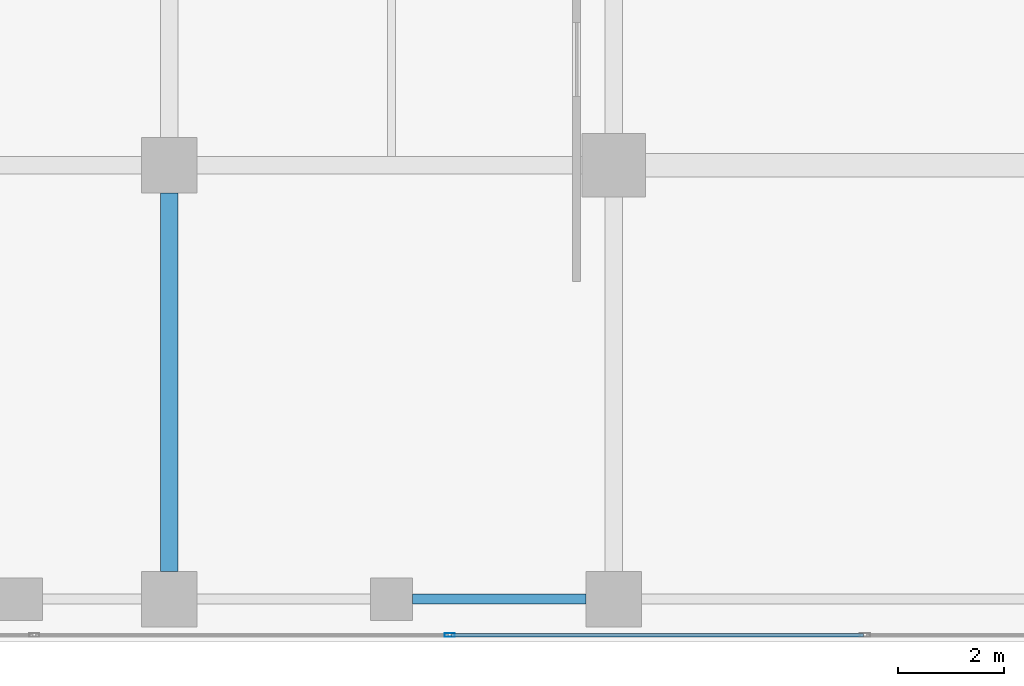
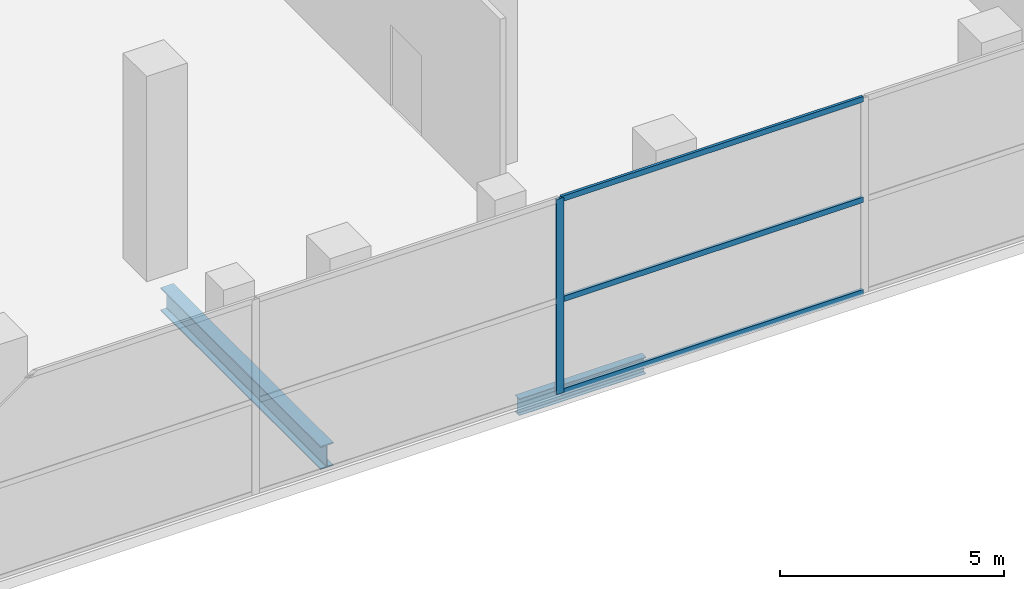
# One storey, part 6 of 40: 4 members, 2 beams, 1 element without a shape of its own.
"""IFC4 building model written with IfcOpenShell, lengths in metres."""

import ifcopenshell
import ifcopenshell.guid

model = None  # the IFC model being written
_history = None  # IfcOwnerHistory: only IFC2X3 demands one
_inside = {}  # id of a spatial element -> (the spatial element, [elements in it])
_under = {}  # id of a project, library or spatial element -> (it, [spatial elements below it])
_declared = {}  # id of a project -> (the project, [libraries it declares])
_typed = {}  # id of a type object -> (the type object, [elements of that type])
_made_of = {}  # id of a material, layer set ... -> (it, [elements and type objects made of it])


def new_model(schema):
    """Start an empty IFC model of exactly this schema.

    Asked for "IFC4X3", IfcOpenShell would pick the latest addendum, in which some entities
    have other attributes; the version numbers below select the first issue.
    IFC2X3 requires an IfcOwnerHistory on every rooted entity: one is made here for all.
    """
    global model, _history
    if schema == "IFC4X3":
        model = ifcopenshell.file(schema_version=(4, 3, 0, 0))
    else:
        model = ifcopenshell.file(schema=schema)
    _inside.clear()
    _under.clear()
    _declared.clear()
    _typed.clear()
    _made_of.clear()
    _history = None
    if model.schema == "IFC2X3":
        org = make("IfcOrganization", Name="unknown")
        user = make(
            "IfcPersonAndOrganization",
            ThePerson=make("IfcPerson", FamilyName="unknown"),
            TheOrganization=org,
        )
        app = make(
            "IfcApplication",
            ApplicationDeveloper=org,
            Version="unknown",
            ApplicationFullName="unknown",
            ApplicationIdentifier="unknown",
        )
        _history = make(
            "IfcOwnerHistory",
            OwningUser=user,
            OwningApplication=app,
            ChangeAction="ADDED",
            CreationDate=0,
        )
    return model


def make(cls, **values):
    """One entity of the class cls with the attributes given. An attribute that is None is left unset."""
    return model.create_entity(
        cls, **{name: value for name, value in values.items() if value is not None}
    )


def rooted(cls, **values):
    """An entity with a GlobalId (a new one), such as an element, a storey or a relation."""
    return make(cls, GlobalId=ifcopenshell.guid.new(), OwnerHistory=_history, **values)


def si_unit(unit_type, name, prefix=None):
    """IfcSIUnit, for example si_unit("LENGTHUNIT", "METRE", prefix="MILLI")."""
    return make("IfcSIUnit", UnitType=unit_type, Prefix=prefix, Name=name)


def assignment(units):
    """IfcUnitAssignment: the units of a project."""
    return None if units is None else make("IfcUnitAssignment", Units=units)


def point(xyz):
    """IfcCartesianPoint."""
    return None if xyz is None else make("IfcCartesianPoint", Coordinates=xyz)


def direction(xyz):
    """IfcDirection."""
    return None if xyz is None else make("IfcDirection", DirectionRatios=xyz)


def frame(location, z_axis=None, x_axis=None):
    """IfcAxis2Placement3D, a coordinate frame: its origin and axes. An axis left out is left unset."""
    return make(
        "IfcAxis2Placement3D",
        Location=point(location),
        Axis=direction(z_axis),
        RefDirection=direction(x_axis),
    )


def frame_2d(location, x_axis=None):
    """IfcAxis2Placement2D, a coordinate frame in the plane: its origin and x axis."""
    return make(
        "IfcAxis2Placement2D", Location=point(location), RefDirection=direction(x_axis)
    )


def origin():
    """The frame at (0, 0, 0) with its axes left unset."""
    return frame((0.0, 0.0, 0.0))


def origin_2d():
    """The frame at (0, 0) in the plane with its x axis left unset."""
    return frame_2d((0.0, 0.0))


def place(relative_to, where):
    """IfcLocalPlacement: puts the frame where relative to a parent placement (None: the world)."""
    return make(
        "IfcLocalPlacement", PlacementRelTo=relative_to, RelativePlacement=where
    )


def context(
    kind, dimensions, precision=None, world=None, true_north=None, identifier=None
):
    """IfcGeometricRepresentationContext, for example the 3D "Model" context."""
    return make(
        "IfcGeometricRepresentationContext",
        ContextIdentifier=identifier,
        ContextType=kind,
        CoordinateSpaceDimension=dimensions,
        Precision=precision,
        WorldCoordinateSystem=world,
        TrueNorth=true_north,
    )


def subcontext(parent, identifier, kind, view, scale=None):
    """IfcGeometricRepresentationSubContext, for example "Body" below "Model"."""
    return make(
        "IfcGeometricRepresentationSubContext",
        ContextIdentifier=identifier,
        ContextType=kind,
        ParentContext=parent,
        TargetScale=scale,
        TargetView=view,
    )


def project(units=None, contexts=None):
    """IfcProject with its units and contexts."""
    return rooted(
        "IfcProject",
        Name="project",
        RepresentationContexts=contexts,
        UnitsInContext=assignment(units),
    )


def spatial(cls, under=None, at=None, **own):
    """A site, building, storey or space (cls), placed at a placement, below another one or the project."""
    s = rooted(cls, ObjectPlacement=at, **own)
    if under is not None:
        _under.setdefault(under.id(), (under, []))[1].append(s)
    return s


def profile(cls, at=None, kind="AREA", **sizes):
    """A parametric profile (cls). Its sizes go by their IFC names, for example OverallWidth=200.0."""
    return make(cls, ProfileType=kind, Position=at, **sizes)


def hollow_rectangle(**sizes):
    """IfcRectangleHollowProfileDef."""
    return profile("IfcRectangleHollowProfileDef", **sizes)


def i_section(**sizes):
    """IfcIShapeProfileDef."""
    return profile("IfcIShapeProfileDef", **sizes)


def extrude(swept, where, along, depth):
    """IfcExtrudedAreaSolid: the profile swept, set in the frame where, extruded along a direction by depth."""
    return make(
        "IfcExtrudedAreaSolid",
        SweptArea=swept,
        Position=where,
        ExtrudedDirection=direction(along),
        Depth=depth,
    )


def shape(context_of_items, identifier, shape_type, items):
    """IfcShapeRepresentation: the items that make up one representation, for example the "Body"."""
    return make(
        "IfcShapeRepresentation",
        ContextOfItems=context_of_items,
        RepresentationIdentifier=identifier,
        RepresentationType=shape_type,
        Items=items,
    )


def material(Name=None, Category=None):
    """IfcMaterial."""
    return make("IfcMaterial", Name=Name, Category=Category)


def layer(
    of_material, thickness, ventilated=None, Name=None, Category=None, Priority=None
):
    """IfcMaterialLayer: one layer of a wall or slab, of a material (None: an air gap)."""
    return make(
        "IfcMaterialLayer",
        Material=of_material,
        LayerThickness=thickness,
        IsVentilated=ventilated,
        Name=Name,
        Category=Category,
        Priority=Priority,
    )


def layer_set(layers, Name=None):
    """IfcMaterialLayerSet."""
    return make("IfcMaterialLayerSet", MaterialLayers=layers, LayerSetName=Name)


def material_profile(
    of_material, cross_section, Name=None, Category=None, Priority=None
):
    """IfcMaterialProfile: a cross section and its material."""
    return make(
        "IfcMaterialProfile",
        Name=Name,
        Material=of_material,
        Profile=cross_section,
        Priority=Priority,
        Category=Category,
    )


def profile_set(profiles, Name=None, composite=None):
    """IfcMaterialProfileSet."""
    return make(
        "IfcMaterialProfileSet",
        Name=Name,
        MaterialProfiles=profiles,
        CompositeProfile=composite,
    )


def made_of(thing, what):
    """Note that an element or type object is made of a material, layer set ...; save() writes the relation."""
    if what is not None:
        _made_of.setdefault(what.id(), (what, []))[1].append(thing)
    return thing


def type_object(cls, material=None, **own):
    """A type object (cls), such as IfcWallType, which elements share."""
    return made_of(rooted(cls, **own), material)


def element(
    cls,
    number,
    at=None,
    inside=None,
    cuts=None,
    type_object=None,
    material=None,
    context=None,
    identifier="Body",
    shape_type=None,
    held_by="IfcProductDefinitionShape",
    body=None,
    shapes=None,
    **own,
):
    """One element of the class cls, such as IfcWall. Its Tag is "e" and its number.

    at: its placement. inside: the storey or other place that contains it. cuts: it is an
    opening in that element (IfcRelVoidsElement). A single representation is given by context,
    identifier, shape_type and body (its items); several are given by shapes. held_by: the class
    of the entity that holds the representations. save() writes the other relations.
    """
    e = rooted(cls, Tag="e%d" % number, ObjectPlacement=at, **own)
    if body is not None:
        shapes = [shape(context, identifier, shape_type, body)]
    if shapes is not None:
        e.Representation = make(held_by, Representations=shapes)
    if inside is not None:
        _inside.setdefault(inside.id(), (inside, []))[1].append(e)
    if cuts is not None:
        rooted(
            "IfcRelVoidsElement", RelatingBuildingElement=cuts, RelatedOpeningElement=e
        )
    if type_object is not None:
        _typed.setdefault(type_object.id(), (type_object, []))[1].append(e)
    return made_of(e, material)


def aggregate(whole, parts):
    """IfcRelAggregates: a whole, such as a stair, and the parts it consists of."""
    return rooted("IfcRelAggregates", RelatingObject=whole, RelatedObjects=parts)


def save(model, path):
    """Write the relations noted so far, then the file.

    IfcRelAggregates (storeys below a building ...), IfcRelContainedInSpatialStructure (elements
    in a storey), IfcRelDefinesByType, IfcRelAssociatesMaterial and IfcRelDeclares: one each for
    every whole, place, type object, material and project.
    """
    for whole, parts in _under.values():
        aggregate(whole, parts)
    for where, things in _inside.values():
        rooted(
            "IfcRelContainedInSpatialStructure",
            RelatedElements=things,
            RelatingStructure=where,
        )
    for kind, things in _typed.values():
        rooted("IfcRelDefinesByType", RelatedObjects=things, RelatingType=kind)
    for what, things in _made_of.values():
        rooted("IfcRelAssociatesMaterial", RelatedObjects=things, RelatingMaterial=what)
    for by, libraries in _declared.values():
        rooted("IfcRelDeclares", RelatingContext=by, RelatedDefinitions=libraries)
    model.write(path)


model = new_model("IFC4")

# Units and contexts
model_context = context("Model", 3, precision=1e-05, world=origin(), true_north=direction((0.0, 1.0)))
body_context = subcontext(model_context, "Body", "Model", "MODEL_VIEW")
ifc_project = project(units=[si_unit("LENGTHUNIT", "METRE"), si_unit("AREAUNIT", "SQUARE_METRE"), si_unit("VOLUMEUNIT", "CUBIC_METRE"), si_unit("PLANEANGLEUNIT", "RADIAN"), si_unit("MASSUNIT", "GRAM", prefix="KILO")], contexts=[model_context])

# Site, building, storey
site_placement = place(None, origin())
site = spatial("IfcSite", under=ifc_project, at=site_placement, CompositionType="ELEMENT")
building_placement = place(site_placement, origin())
building = spatial("IfcBuilding", under=site, at=building_placement, Name="Maruvema Waterfront Hotel and Observation Tower", CompositionType="ELEMENT")
storey_placement = place(building_placement, frame((0.0, 0.0, 10.85009765625)))
storey = spatial("IfcBuildingStorey", under=building, at=storey_placement, Name="L02", CompositionType="ELEMENT", Elevation=10.85009765625)

# Curtain wall, members
ifc_material_1 = material(Name="Anodised bronze aluminium and solar-control low-E IGU", Category="aluminium")
ifc_layer = layer(ifc_material_1, 0.159912109375, Name="Podium Waterfront Storefront Curtain Wall System CW-01")
ifc_layer_set = layer_set([ifc_layer], Name="Anodised bronze aluminium and solar-control low-E IGU")
curtain_wall_type = type_object("IfcCurtainWallType", Name="Podium Waterfront Storefront Curtain Wall System CW-01", PredefinedType="USERDEFINED", material=ifc_layer_set)
curtain_wall_placement = place(storey_placement, origin())
curtain_wall = element("IfcCurtainWall", 1, at=curtain_wall_placement, inside=storey, type_object=curtain_wall_type, Name="L02 Curtain Wall CW-L02-S", ObjectType="UNITISED CURTAIN WALL", PredefinedType="USERDEFINED")
ifc_material_2 = material(Name="Anodised architectural bronze aluminium", Category="aluminium")
ifc_material_profile_1 = material_profile(ifc_material_2, hollow_rectangle(XDim=0.070068359375, YDim=0.14990234375, WallThickness=0.00390625, at=origin_2d()), Name="ALU-T70x150")
ifc_profile_set_1 = profile_set([ifc_material_profile_1], Name="Anodised architectural bronze aluminium")
member_type_1 = type_object("IfcMemberType", Name="Curtain Wall Horizontal Transom ALU-T70x150", PredefinedType="USERDEFINED", material=ifc_profile_set_1)
member_1_placement = place(storey_placement, frame((22.1298828125, 0.1201171875, 0.02978515625), z_axis=(1.0, 0.0, 0.0), x_axis=(0.0, 1.0, 0.0)))
member_1 = element("IfcMember", 2, at=member_1_placement, type_object=member_type_1, Name="CW-01 transom 3.1", ObjectType="TRANSOM", PredefinedType="USERDEFINED", context=body_context, shape_type="SweptSolid", body=[
    extrude(hollow_rectangle(XDim=0.070068359375, YDim=0.14990234375, WallThickness=0.00390625, at=origin_2d()), origin(), (0.0, 0.0, 1.0), 7.7900390625),
])
member_2_placement = place(storey_placement, frame((22.1298828125, 0.1201171875, 2.5498046875), z_axis=(1.0, 0.0, 0.0), x_axis=(0.0, 1.0, 0.0)))
member_2 = element("IfcMember", 3, at=member_2_placement, type_object=member_type_1, Name="CW-01 transom 3.2", ObjectType="TRANSOM", PredefinedType="USERDEFINED", context=body_context, shape_type="SweptSolid", body=[
    extrude(hollow_rectangle(XDim=0.070068359375, YDim=0.14990234375, WallThickness=0.00390625, at=origin_2d()), origin(), (0.0, 0.0, 1.0), 7.7900390625),
])
member_3_placement = place(storey_placement, frame((22.1298828125, 0.1201171875, 5.289794921875), z_axis=(1.0, 0.0, 0.0), x_axis=(0.0, 1.0, 0.0)))
member_3 = element("IfcMember", 4, at=member_3_placement, type_object=member_type_1, Name="CW-01 transom 3.3", ObjectType="TRANSOM", PredefinedType="USERDEFINED", context=body_context, shape_type="SweptSolid", body=[
    extrude(hollow_rectangle(XDim=0.070068359375, YDim=0.14990234375, WallThickness=0.00390625, at=origin_2d()), origin(), (0.0, 0.0, 1.0), 7.7900390625),
])

# Beam
ifc_material_3 = material(Name="Steel ASTM A572 Grade 50", Category="steel")
ifc_material_profile_2 = material_profile(ifc_material_3, i_section(OverallWidth=0.18994140625, OverallDepth=0.45703125, WebThickness=0.009033203125, FlangeThickness=0.014404296875, FilletRadius=0.014892578125, at=origin_2d()), Name="W460x74.0")
ifc_profile_set_2 = profile_set([ifc_material_profile_2], Name="Steel ASTM A572 Grade 50")
beam_type_1 = type_object("IfcBeamType", Name="Perimeter Spandrel Beam W460x74.0", PredefinedType="SPANDREL", material=ifc_profile_set_2)
beam_1_placement = place(storey_placement, frame((21.39990234375, 0.800048828125, -0.508544921875), z_axis=(1.0, 0.0, 0.0), x_axis=(0.0, 1.0, 0.0)))
element("IfcBeam", 5, at=beam_1_placement, inside=storey, type_object=beam_type_1, Name="L02 Floor Girder EW-03", PredefinedType="SPANDREL", context=body_context, shape_type="SweptSolid", body=[
    extrude(i_section(OverallWidth=0.18994140625, OverallDepth=0.45703125, WebThickness=0.009033203125, FlangeThickness=0.014404296875, FilletRadius=0.014892578125, at=origin_2d()), origin(), (0.0, 0.0, 1.0), 3.275146484375),
])

# Member
ifc_material_4 = material(Name="Anodised architectural bronze aluminium", Category="aluminium")
ifc_material_profile_3 = material_profile(ifc_material_4, hollow_rectangle(XDim=0.070068359375, YDim=0.18994140625, WallThickness=0.00390625, at=origin_2d()), Name="ALU-M70x190")
ifc_profile_set_3 = profile_set([ifc_material_profile_3], Name="Anodised architectural bronze aluminium")
member_type_2 = type_object("IfcMemberType", Name="Podium Storefront Heavy Mullion ALU-M70x190", PredefinedType="MULLION", material=ifc_profile_set_3)
member_4_placement = place(storey_placement, frame((22.10009765625, 0.1201171875, 0.0), z_axis=(0.0, 0.0, 1.0), x_axis=(0.0, 1.0, 0.0)))
member_4 = element("IfcMember", 6, at=member_4_placement, type_object=member_type_2, Name="CW-01 mullion 3", PredefinedType="MULLION", context=body_context, shape_type="SweptSolid", body=[
    extrude(hollow_rectangle(XDim=0.070068359375, YDim=0.18994140625, WallThickness=0.00390625, at=origin_2d()), origin(), (0.0, 0.0, 1.0), 5.31982421875),
])

aggregate(curtain_wall, [member_4, member_1, member_2, member_3])

# Beam
ifc_material_5 = material(Name="Steel ASTM A572 Grade 50", Category="steel")
ifc_material_profile_4 = material_profile(ifc_material_5, i_section(OverallWidth=0.3291015625, OverallDepth=0.635009765625, WebThickness=0.017822265625, FlangeThickness=0.031005859375, FilletRadius=0.01806640625, at=origin_2d()), Name="W610x241.0")
ifc_profile_set_4 = profile_set([ifc_material_profile_4], Name="Steel ASTM A572 Grade 50")
beam_type_2 = type_object("IfcBeamType", Name="Primary Floor Girder W610x241.0", PredefinedType="BEAM", material=ifc_profile_set_4)
beam_2_placement = place(storey_placement, frame((16.800048828125, 1.324951171875, -0.59765625), z_axis=(0.0, 1.0, 0.0), x_axis=(-1.0, 0.0, 0.0)))
element("IfcBeam", 7, at=beam_2_placement, inside=storey, type_object=beam_type_2, Name="L02 Floor Girder NS-07", PredefinedType="BEAM", context=body_context, shape_type="SweptSolid", body=[
    extrude(i_section(OverallWidth=0.3291015625, OverallDepth=0.635009765625, WebThickness=0.017822265625, FlangeThickness=0.031005859375, FilletRadius=0.01806640625, at=origin_2d()), origin(), (0.0, 0.0, 1.0), 7.150146484375),
])

save(model, "model.ifc")
